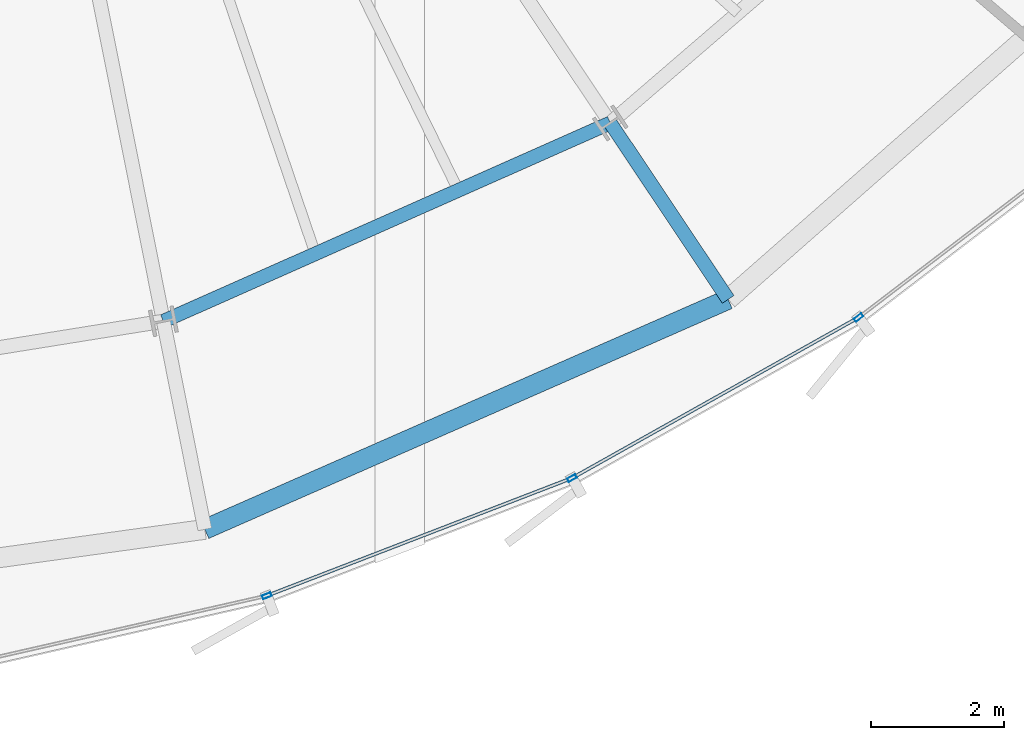
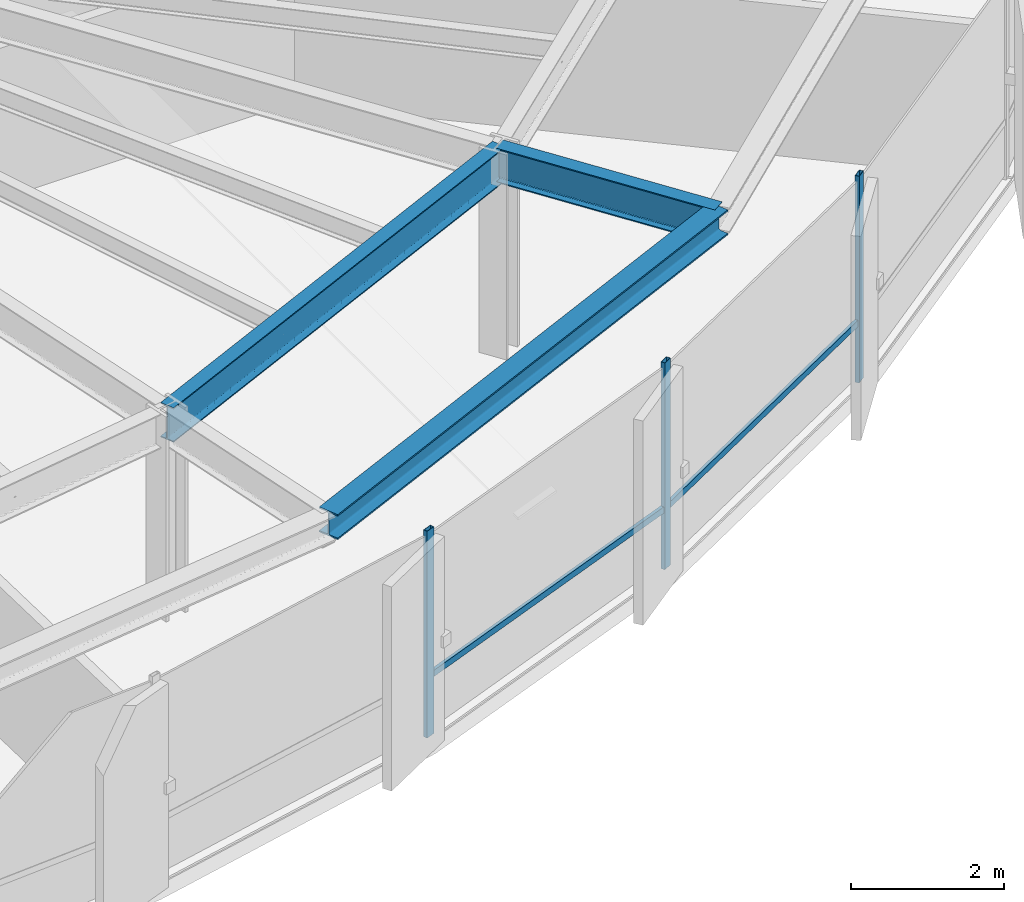
# One storey, part 12 of 35: 5 members, 3 beams, 1 element without a shape of its own.
"""IFC4 building model written with IfcOpenShell, lengths in metres."""

import ifcopenshell
import ifcopenshell.guid

model = None  # the IFC model being written
_history = None  # IfcOwnerHistory: only IFC2X3 demands one
_inside = {}  # id of a spatial element -> (the spatial element, [elements in it])
_under = {}  # id of a project, library or spatial element -> (it, [spatial elements below it])
_declared = {}  # id of a project -> (the project, [libraries it declares])
_typed = {}  # id of a type object -> (the type object, [elements of that type])
_made_of = {}  # id of a material, layer set ... -> (it, [elements and type objects made of it])


def new_model(schema):
    """Start an empty IFC model of exactly this schema.

    Asked for "IFC4X3", IfcOpenShell would pick the latest addendum, in which some entities
    have other attributes; the version numbers below select the first issue.
    IFC2X3 requires an IfcOwnerHistory on every rooted entity: one is made here for all.
    """
    global model, _history
    if schema == "IFC4X3":
        model = ifcopenshell.file(schema_version=(4, 3, 0, 0))
    else:
        model = ifcopenshell.file(schema=schema)
    _inside.clear()
    _under.clear()
    _declared.clear()
    _typed.clear()
    _made_of.clear()
    _history = None
    if model.schema == "IFC2X3":
        org = make("IfcOrganization", Name="unknown")
        user = make(
            "IfcPersonAndOrganization",
            ThePerson=make("IfcPerson", FamilyName="unknown"),
            TheOrganization=org,
        )
        app = make(
            "IfcApplication",
            ApplicationDeveloper=org,
            Version="unknown",
            ApplicationFullName="unknown",
            ApplicationIdentifier="unknown",
        )
        _history = make(
            "IfcOwnerHistory",
            OwningUser=user,
            OwningApplication=app,
            ChangeAction="ADDED",
            CreationDate=0,
        )
    return model


def make(cls, **values):
    """One entity of the class cls with the attributes given. An attribute that is None is left unset."""
    return model.create_entity(
        cls, **{name: value for name, value in values.items() if value is not None}
    )


def rooted(cls, **values):
    """An entity with a GlobalId (a new one), such as an element, a storey or a relation."""
    return make(cls, GlobalId=ifcopenshell.guid.new(), OwnerHistory=_history, **values)


def si_unit(unit_type, name, prefix=None):
    """IfcSIUnit, for example si_unit("LENGTHUNIT", "METRE", prefix="MILLI")."""
    return make("IfcSIUnit", UnitType=unit_type, Prefix=prefix, Name=name)


def assignment(units):
    """IfcUnitAssignment: the units of a project."""
    return None if units is None else make("IfcUnitAssignment", Units=units)


def point(xyz):
    """IfcCartesianPoint."""
    return None if xyz is None else make("IfcCartesianPoint", Coordinates=xyz)


def direction(xyz):
    """IfcDirection."""
    return None if xyz is None else make("IfcDirection", DirectionRatios=xyz)


def frame(location, z_axis=None, x_axis=None):
    """IfcAxis2Placement3D, a coordinate frame: its origin and axes. An axis left out is left unset."""
    return make(
        "IfcAxis2Placement3D",
        Location=point(location),
        Axis=direction(z_axis),
        RefDirection=direction(x_axis),
    )


def frame_2d(location, x_axis=None):
    """IfcAxis2Placement2D, a coordinate frame in the plane: its origin and x axis."""
    return make(
        "IfcAxis2Placement2D", Location=point(location), RefDirection=direction(x_axis)
    )


def origin():
    """The frame at (0, 0, 0) with its axes left unset."""
    return frame((0.0, 0.0, 0.0))


def origin_2d():
    """The frame at (0, 0) in the plane with its x axis left unset."""
    return frame_2d((0.0, 0.0))


def place(relative_to, where):
    """IfcLocalPlacement: puts the frame where relative to a parent placement (None: the world)."""
    return make(
        "IfcLocalPlacement", PlacementRelTo=relative_to, RelativePlacement=where
    )


def context(
    kind, dimensions, precision=None, world=None, true_north=None, identifier=None
):
    """IfcGeometricRepresentationContext, for example the 3D "Model" context."""
    return make(
        "IfcGeometricRepresentationContext",
        ContextIdentifier=identifier,
        ContextType=kind,
        CoordinateSpaceDimension=dimensions,
        Precision=precision,
        WorldCoordinateSystem=world,
        TrueNorth=true_north,
    )


def subcontext(parent, identifier, kind, view, scale=None):
    """IfcGeometricRepresentationSubContext, for example "Body" below "Model"."""
    return make(
        "IfcGeometricRepresentationSubContext",
        ContextIdentifier=identifier,
        ContextType=kind,
        ParentContext=parent,
        TargetScale=scale,
        TargetView=view,
    )


def project(units=None, contexts=None):
    """IfcProject with its units and contexts."""
    return rooted(
        "IfcProject",
        Name="project",
        RepresentationContexts=contexts,
        UnitsInContext=assignment(units),
    )


def spatial(cls, under=None, at=None, **own):
    """A site, building, storey or space (cls), placed at a placement, below another one or the project."""
    s = rooted(cls, ObjectPlacement=at, **own)
    if under is not None:
        _under.setdefault(under.id(), (under, []))[1].append(s)
    return s


def profile(cls, at=None, kind="AREA", **sizes):
    """A parametric profile (cls). Its sizes go by their IFC names, for example OverallWidth=200.0."""
    return make(cls, ProfileType=kind, Position=at, **sizes)


def hollow_rectangle(**sizes):
    """IfcRectangleHollowProfileDef."""
    return profile("IfcRectangleHollowProfileDef", **sizes)


def i_section(**sizes):
    """IfcIShapeProfileDef."""
    return profile("IfcIShapeProfileDef", **sizes)


def extrude(swept, where, along, depth):
    """IfcExtrudedAreaSolid: the profile swept, set in the frame where, extruded along a direction by depth."""
    return make(
        "IfcExtrudedAreaSolid",
        SweptArea=swept,
        Position=where,
        ExtrudedDirection=direction(along),
        Depth=depth,
    )


def shape(context_of_items, identifier, shape_type, items):
    """IfcShapeRepresentation: the items that make up one representation, for example the "Body"."""
    return make(
        "IfcShapeRepresentation",
        ContextOfItems=context_of_items,
        RepresentationIdentifier=identifier,
        RepresentationType=shape_type,
        Items=items,
    )


def source(mapping_origin, context_of_items, identifier, shape_type, items):
    """IfcRepresentationMap: a shape defined once, which mapped items show again and again."""
    return make(
        "IfcRepresentationMap",
        MappingOrigin=mapping_origin,
        MappedRepresentation=shape(context_of_items, identifier, shape_type, items),
    )


def transform(
    local_origin,
    x_axis=None,
    y_axis=None,
    z_axis=None,
    scale=None,
    scale2=None,
    scale3=None,
    uniform=True,
):
    """IfcCartesianTransformationOperator3D, or its non-uniform kind. x_axis, y_axis, z_axis: its Axis1, 2, 3."""
    if uniform:
        return make(
            "IfcCartesianTransformationOperator3D",
            Axis1=direction(x_axis),
            Axis2=direction(y_axis),
            LocalOrigin=point(local_origin),
            Scale=scale,
            Axis3=direction(z_axis),
        )
    return make(
        "IfcCartesianTransformationOperator3DnonUniform",
        Axis1=direction(x_axis),
        Axis2=direction(y_axis),
        LocalOrigin=point(local_origin),
        Scale=scale,
        Axis3=direction(z_axis),
        Scale2=scale2,
        Scale3=scale3,
    )


def mapped(mapping_source, mapping_target):
    """IfcMappedItem: shows the shape of a source again, moved by a transform."""
    return make(
        "IfcMappedItem", MappingSource=mapping_source, MappingTarget=mapping_target
    )


def material(Name=None, Category=None):
    """IfcMaterial."""
    return make("IfcMaterial", Name=Name, Category=Category)


def layer(
    of_material, thickness, ventilated=None, Name=None, Category=None, Priority=None
):
    """IfcMaterialLayer: one layer of a wall or slab, of a material (None: an air gap)."""
    return make(
        "IfcMaterialLayer",
        Material=of_material,
        LayerThickness=thickness,
        IsVentilated=ventilated,
        Name=Name,
        Category=Category,
        Priority=Priority,
    )


def layer_set(layers, Name=None):
    """IfcMaterialLayerSet."""
    return make("IfcMaterialLayerSet", MaterialLayers=layers, LayerSetName=Name)


def material_profile(
    of_material, cross_section, Name=None, Category=None, Priority=None
):
    """IfcMaterialProfile: a cross section and its material."""
    return make(
        "IfcMaterialProfile",
        Name=Name,
        Material=of_material,
        Profile=cross_section,
        Priority=Priority,
        Category=Category,
    )


def profile_set(profiles, Name=None, composite=None):
    """IfcMaterialProfileSet."""
    return make(
        "IfcMaterialProfileSet",
        Name=Name,
        MaterialProfiles=profiles,
        CompositeProfile=composite,
    )


def made_of(thing, what):
    """Note that an element or type object is made of a material, layer set ...; save() writes the relation."""
    if what is not None:
        _made_of.setdefault(what.id(), (what, []))[1].append(thing)
    return thing


def type_object(cls, material=None, **own):
    """A type object (cls), such as IfcWallType, which elements share."""
    return made_of(rooted(cls, **own), material)


def element(
    cls,
    number,
    at=None,
    inside=None,
    cuts=None,
    type_object=None,
    material=None,
    context=None,
    identifier="Body",
    shape_type=None,
    held_by="IfcProductDefinitionShape",
    body=None,
    shapes=None,
    **own,
):
    """One element of the class cls, such as IfcWall. Its Tag is "e" and its number.

    at: its placement. inside: the storey or other place that contains it. cuts: it is an
    opening in that element (IfcRelVoidsElement). A single representation is given by context,
    identifier, shape_type and body (its items); several are given by shapes. held_by: the class
    of the entity that holds the representations. save() writes the other relations.
    """
    e = rooted(cls, Tag="e%d" % number, ObjectPlacement=at, **own)
    if body is not None:
        shapes = [shape(context, identifier, shape_type, body)]
    if shapes is not None:
        e.Representation = make(held_by, Representations=shapes)
    if inside is not None:
        _inside.setdefault(inside.id(), (inside, []))[1].append(e)
    if cuts is not None:
        rooted(
            "IfcRelVoidsElement", RelatingBuildingElement=cuts, RelatedOpeningElement=e
        )
    if type_object is not None:
        _typed.setdefault(type_object.id(), (type_object, []))[1].append(e)
    return made_of(e, material)


def aggregate(whole, parts):
    """IfcRelAggregates: a whole, such as a stair, and the parts it consists of."""
    return rooted("IfcRelAggregates", RelatingObject=whole, RelatedObjects=parts)


def save(model, path):
    """Write the relations noted so far, then the file.

    IfcRelAggregates (storeys below a building ...), IfcRelContainedInSpatialStructure (elements
    in a storey), IfcRelDefinesByType, IfcRelAssociatesMaterial and IfcRelDeclares: one each for
    every whole, place, type object, material and project.
    """
    for whole, parts in _under.values():
        aggregate(whole, parts)
    for where, things in _inside.values():
        rooted(
            "IfcRelContainedInSpatialStructure",
            RelatedElements=things,
            RelatingStructure=where,
        )
    for kind, things in _typed.values():
        rooted("IfcRelDefinesByType", RelatedObjects=things, RelatingType=kind)
    for what, things in _made_of.values():
        rooted("IfcRelAssociatesMaterial", RelatedObjects=things, RelatingMaterial=what)
    for by, libraries in _declared.values():
        rooted("IfcRelDeclares", RelatingContext=by, RelatedDefinitions=libraries)
    model.write(path)


model = new_model("IFC4")

# Units and contexts
model_context = context("Model", 3, precision=1e-05, world=origin(), true_north=direction((0.0, 1.0)))
body_context = subcontext(model_context, "Body", "Model", "MODEL_VIEW")
ifc_project = project(units=[si_unit("LENGTHUNIT", "METRE"), si_unit("AREAUNIT", "SQUARE_METRE"), si_unit("VOLUMEUNIT", "CUBIC_METRE"), si_unit("PLANEANGLEUNIT", "RADIAN"), si_unit("MASSUNIT", "GRAM", prefix="KILO"), si_unit("THERMODYNAMICTEMPERATUREUNIT", "KELVIN")], contexts=[model_context])

# Site, building, storey
site_placement = place(None, origin())
site = spatial("IfcSite", under=ifc_project, at=site_placement, CompositionType="ELEMENT")
building_placement = place(site_placement, origin())
building = spatial("IfcBuilding", under=site, at=building_placement, Name="Kethvar Cultural Tower", CompositionType="ELEMENT")
storey_placement = place(building_placement, frame((0.0, 0.0, 135.89990234375)))
storey = spatial("IfcBuildingStorey", under=building, at=storey_placement, Name="L34", CompositionType="ELEMENT", Elevation=135.89990234375)

# Beams
ifc_material_1 = material(Name="Steel S355J2", Category="steel")
ifc_material_profile_1 = material_profile(ifc_material_1, i_section(OverallWidth=0.2099609375, OverallDepth=0.550048828125, WebThickness=0.010986328125, FlangeThickness=0.01708984375, FilletRadius=0.02392578125, at=origin_2d()), Name="Steel S355J2 — IPE550")
ifc_profile_set_1 = profile_set([ifc_material_profile_1], Name="Steel S355J2 — IPE550")
beam_type_1 = type_object("IfcBeamType", Name="BM-IPE550", PredefinedType="BEAM", material=ifc_profile_set_1)
shared_shape_1 = source(origin(), body_context, "Body", "SweptSolid", [
    extrude(i_section(OverallWidth=0.2099609375, OverallDepth=0.550048828125, WebThickness=0.010986328125, FlangeThickness=0.01708984375, FilletRadius=0.02392578125, at=origin_2d()), origin(), (0.0, 0.0, 1.0), 3.199951171875),
])
beam_1_placement = place(storey_placement, frame((57.241943359375, 12.17236328125, 3.023193359375), z_axis=(0.555580212716, -0.831462943996, 0.0), x_axis=(0.831462943996, 0.555580212716, 0.0)))
element("IfcBeam", 1, at=beam_1_placement, inside=storey, type_object=beam_type_1, Name="L34 Perimeter Cantilever Beam RC-14", PredefinedType="BEAM", context=body_context, shape_type="MappedRepresentation", body=[
    mapped(shared_shape_1, transform((0.0, 0.0, 0.0), scale=1.0)),
])
shared_shape_2 = source(origin(), body_context, "Body", "SweptSolid", [
    extrude(i_section(OverallWidth=0.2099609375, OverallDepth=0.550048828125, WebThickness=0.010986328125, FlangeThickness=0.01708984375, FilletRadius=0.02392578125, at=origin_2d()), origin(), (0.0, 0.0, 1.0), 7.3720703125),
])
beam_2_placement = place(storey_placement, frame((50.50341796875, 9.182373046875, 3.023193359375), z_axis=(0.914058560918, 0.405582232367, 0.0), x_axis=(-0.405582232367, 0.914058560918, 0.0)))
element("IfcBeam", 2, at=beam_2_placement, inside=storey, type_object=beam_type_1, Name="L34 Column Ring Tie Beam CR-13", PredefinedType="BEAM", context=body_context, shape_type="MappedRepresentation", body=[
    mapped(shared_shape_2, transform((0.0, 0.0, 0.0), scale=1.0)),
])
ifc_material_profile_2 = material_profile(ifc_material_1, i_section(OverallWidth=0.300048828125, OverallDepth=0.39990234375, WebThickness=0.013427734375, FlangeThickness=0.02392578125, FilletRadius=0.027099609375, at=origin_2d()), Name="Steel S355J2 — HEB400")
ifc_profile_set_2 = profile_set([ifc_material_profile_2], Name="Steel S355J2 — HEB400")
beam_type_2 = type_object("IfcBeamType", Name="BM-SP400", PredefinedType="SPANDREL", material=ifc_profile_set_2)
shared_shape_3 = source(origin(), body_context, "Body", "SweptSolid", [
    extrude(i_section(OverallWidth=0.300048828125, OverallDepth=0.39990234375, WebThickness=0.013427734375, FlangeThickness=0.02392578125, FilletRadius=0.027099609375, at=origin_2d()), origin(), (0.0, 0.0, 1.0), 8.620361328125),
])
beam_3_placement = place(storey_placement, frame((51.127685546875, 6.043701171875, 3.09814453125), z_axis=(0.915507442902, 0.402301034041, 0.0), x_axis=(-0.402301034041, 0.915507442902, 0.0)))
element("IfcBeam", 3, at=beam_3_placement, inside=storey, type_object=beam_type_2, Name="L34 Perimeter Spandrel Beam SP-13", PredefinedType="SPANDREL", context=body_context, shape_type="MappedRepresentation", body=[
    mapped(shared_shape_3, transform((0.0, 0.0, 0.0), scale=1.0)),
])

# Curtain wall, members
ifc_material_2 = material(Name="Aluminium 6063-T6", Category="aluminium")
ifc_layer = layer(ifc_material_2, 0.179931640625, Name="Aluminium 6063-T6", Category="aluminium")
ifc_layer_set = layer_set([ifc_layer], Name="Aluminium 6063-T6 (180 mm)")
curtain_wall_type = type_object("IfcCurtainWallType", Name="CW-SYS-04-Z34", PredefinedType="NOTDEFINED", material=ifc_layer_set)
curtain_wall_placement = place(storey_placement, origin())
curtain_wall = element("IfcCurtainWall", 4, at=curtain_wall_placement, inside=storey, type_object=curtain_wall_type, Name="L34 Curtain Wall Run 05", PredefinedType="NOTDEFINED")
ifc_material_profile_3 = material_profile(ifc_material_2, hollow_rectangle(XDim=0.06005859375, YDim=0.139892578125, WallThickness=0.0048828125, at=origin_2d()), Name="Aluminium 6063-T6 — RHS140x60x5")
ifc_profile_set_3 = profile_set([ifc_material_profile_3], Name="Aluminium 6063-T6 — RHS140x60x5")
member_type_1 = type_object("IfcMemberType", Name="CW-SYS-04-Z34-MUL", PredefinedType="MULLION", material=ifc_profile_set_3)
shared_shape_4 = source(origin(), body_context, "Body", "SweptSolid", [
    extrude(hollow_rectangle(XDim=0.06005859375, YDim=0.139892578125, WallThickness=0.0048828125, at=origin_2d()), origin(), (0.0, 0.0, 1.0), 3.300048828125),
])
member_1_placement = place(storey_placement, frame((52.063720703125, 5.042236328125, 0.0), z_axis=(0.0, 0.0, 1.0), x_axis=(-0.359964241679, 0.932966100516, 0.0)))
member_1 = element("IfcMember", 5, at=member_1_placement, type_object=member_type_1, Name="CW-L34-R05 Mullion 3", PredefinedType="MULLION", context=body_context, shape_type="MappedRepresentation", body=[
    mapped(shared_shape_4, transform((0.0, 0.0, 0.0), scale=1.0)),
])
member_2_placement = place(storey_placement, frame((56.66552734375, 6.81640625, 0.0), z_axis=(0.0, 0.0, 1.0), x_axis=(-0.489154127779, 0.872197362572, 0.0)))
member_2 = element("IfcMember", 6, at=member_2_placement, type_object=member_type_1, Name="CW-L34-R05 Mullion 4", PredefinedType="MULLION", context=body_context, shape_type="MappedRepresentation", body=[
    mapped(shared_shape_4, transform((0.0, 0.0, 0.0), scale=1.0)),
])
member_3_placement = place(storey_placement, frame((60.985107421875, 9.23779296875, 0.0), z_axis=(0.0, 0.0, 1.0), x_axis=(-0.606932060193, 0.79475371928, 0.0)))
member_3 = element("IfcMember", 7, at=member_3_placement, type_object=member_type_1, Name="CW-L34-R05 Mullion 5", PredefinedType="MULLION", context=body_context, shape_type="MappedRepresentation", body=[
    mapped(shared_shape_4, transform((0.0, 0.0, 0.0), scale=1.0)),
])
ifc_material_profile_4 = material_profile(ifc_material_2, hollow_rectangle(XDim=0.050048828125, YDim=0.10009765625, WallThickness=0.00390625, at=origin_2d()), Name="Aluminium 6063-T6 — RHS100x50x4")
ifc_profile_set_4 = profile_set([ifc_material_profile_4], Name="Aluminium 6063-T6 — RHS100x50x4")
member_type_2 = type_object("IfcMemberType", Name="CW-SYS-04-Z34-TRN", PredefinedType="USERDEFINED", material=ifc_profile_set_4)
shared_shape_5 = source(origin(), body_context, "Body", "SweptSolid", [
    extrude(hollow_rectangle(XDim=0.050048828125, YDim=0.10009765625, WallThickness=0.00390625, at=origin_2d()), origin(), (0.0, 0.0, 1.0), 4.881103515625),
])
member_4_placement = place(storey_placement, frame((56.703125, 6.837646484375, 0.9501953125), z_axis=(0.872213306229, 0.489125697993, 0.0), x_axis=(-0.489125697993, 0.872213306229, 0.0)))
member_4 = element("IfcMember", 8, at=member_4_placement, type_object=member_type_2, Name="CW-L34-R05 Transom 4", ObjectType="TRANSOM", PredefinedType="USERDEFINED", context=body_context, shape_type="MappedRepresentation", body=[
    mapped(shared_shape_5, transform((0.0, 0.0, 0.0), scale=1.0)),
])
shared_shape_6 = source(origin(), body_context, "Body", "SweptSolid", [
    extrude(hollow_rectangle(XDim=0.050048828125, YDim=0.10009765625, WallThickness=0.00390625, at=origin_2d()), origin(), (0.0, 0.0, 1.0), 4.861328125),
])
member_5_placement = place(storey_placement, frame((52.10400390625, 5.057861328125, 0.9501953125), z_axis=(0.932974916498, 0.35994139132, 0.0), x_axis=(-0.35994139132, 0.932974916498, 0.0)))
member_5 = element("IfcMember", 9, at=member_5_placement, type_object=member_type_2, Name="CW-L34-R05 Transom 3", ObjectType="TRANSOM", PredefinedType="USERDEFINED", context=body_context, shape_type="MappedRepresentation", body=[
    mapped(shared_shape_6, transform((0.0, 0.0, 0.0), scale=1.0)),
])
aggregate(curtain_wall, [member_1, member_2, member_3, member_5, member_4])

save(model, "model.ifc")
